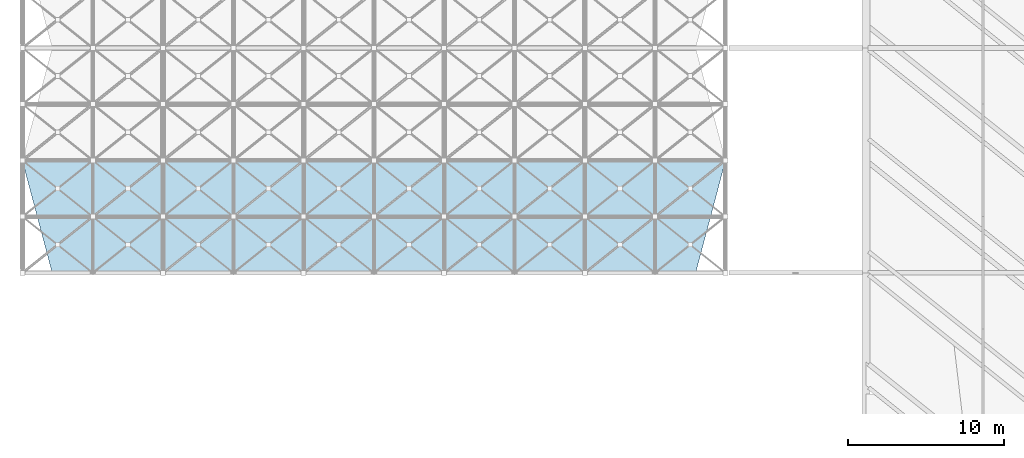
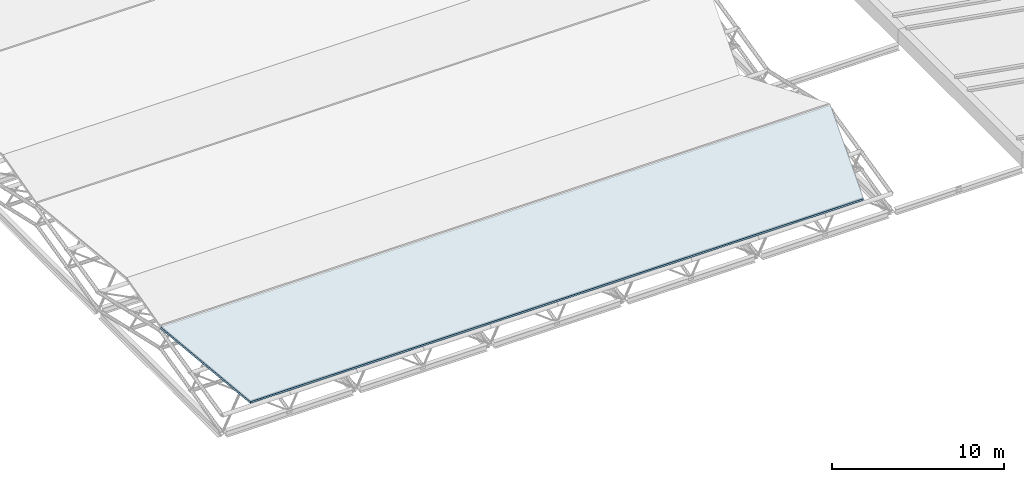
# One storey, part 60 of 110: 1 slab.
"""IFC4 building model written with IfcOpenShell, lengths in metres."""

from ifc_helpers import new_model, si_unit, direction, frame, origin, place, context, subcontext, project, spatial, polyline, outline, extrude, material, layer, layer_set, type_object, element, save


model = new_model("IFC4")

# Units and contexts
model_context = context("Model", 3, precision=1e-05, world=origin(), true_north=direction((0.0, 1.0)))
body_context = subcontext(model_context, "Body", "Model", "MODEL_VIEW")
ifc_project = project(units=[si_unit("LENGTHUNIT", "METRE"), si_unit("AREAUNIT", "SQUARE_METRE"), si_unit("VOLUMEUNIT", "CUBIC_METRE"), si_unit("PLANEANGLEUNIT", "RADIAN"), si_unit("MASSUNIT", "GRAM", prefix="KILO")], contexts=[model_context])

# Site, building, storey
site_placement = place(None, origin())
site = spatial("IfcSite", under=ifc_project, at=site_placement, CompositionType="ELEMENT")
building_placement = place(site_placement, origin())
building = spatial("IfcBuilding", under=site, at=building_placement, Name="Tamarisk Ironworks Central Station", CompositionType="ELEMENT")
storey_placement = place(building_placement, frame((0.0, 0.0, 17.39990234375)))
storey = spatial("IfcBuildingStorey", under=building, at=storey_placement, Name="L03", CompositionType="ELEMENT", Elevation=17.39990234375)

# Slab
ifc_material = material(Name="Concrete C35/45", Category="concrete")
ifc_layer = layer(ifc_material, 0.159912109375)
ifc_layer_set = layer_set([ifc_layer], Name="Concrete C35/45")
slab_type = type_object("IfcSlabType", Name="SL-RF160", PredefinedType="ROOF", material=ifc_layer_set)
slab_placement = place(storey_placement, frame((1.89990234375, 21.60009765625, -0.164794921875), z_axis=(0.0, -0.22335110453, 0.974738059227), x_axis=(1.0, 0.0, 0.0)))
element("IfcSlab", 1, at=slab_placement, inside=storey, type_object=slab_type, Name="Train shed sloped roof deck WEST-1S", PredefinedType="ROOF", context=body_context, shape_type="SweptSolid", body=[
    extrude(outline(polyline([(0.0, 0.0), (41.2001953125, 0.0), (43.10009765625, 7.330194469802176), (-1.89990234375, 7.330194469802176), (0.0, 0.0)])), origin(), (0.0, 0.0, -1.0), 0.159912109375),
])

save(model, "model.ifc")
